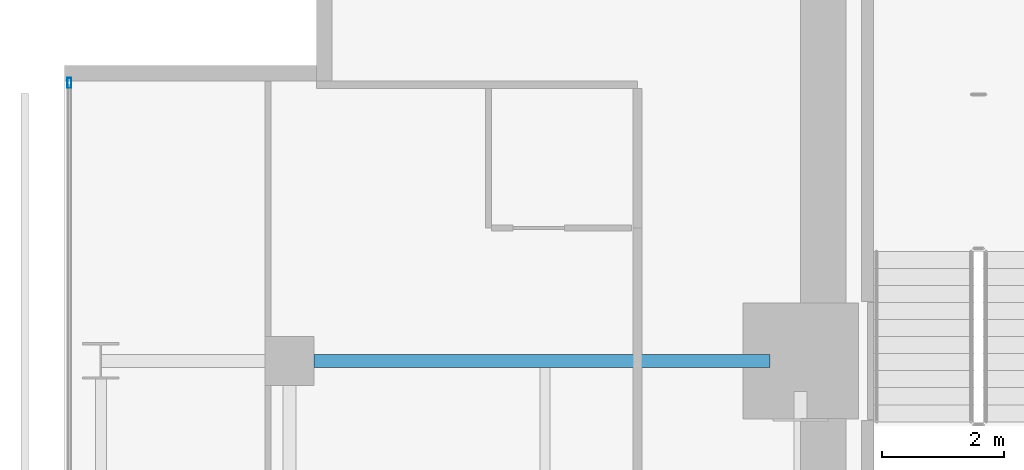
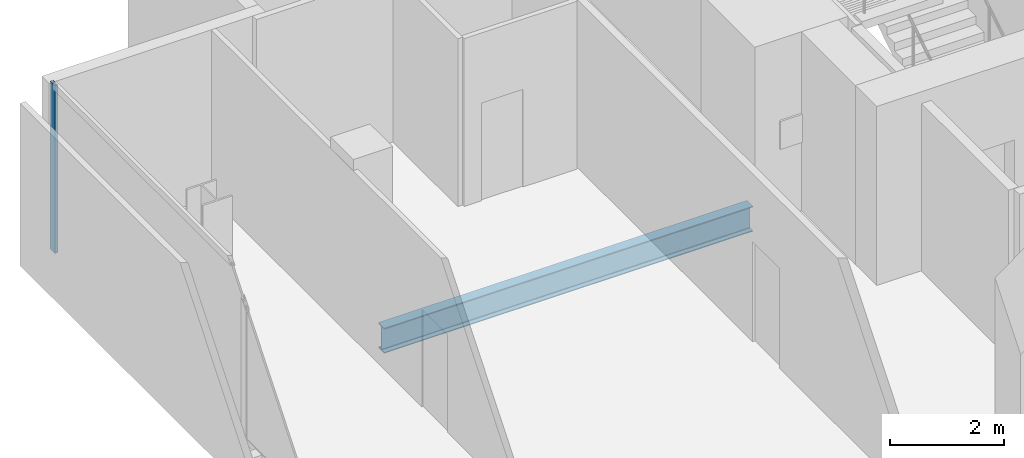
# One storey, part 20 of 33: 1 beam, 1 member, 1 element without a shape of its own.
"""IFC4 building model written with IfcOpenShell, lengths in metres."""

from ifc_helpers import new_model, si_unit, direction, frame, origin, origin_2d, place, context, subcontext, project, spatial, hollow_rectangle, i_section, extrude, material, layer, layer_set, material_profile, profile_set, type_object, element, aggregate, save


model = new_model("IFC4")

# Units and contexts
model_context = context("Model", 3, precision=1e-05, world=origin(), true_north=direction((0.0, 1.0)))
body_context = subcontext(model_context, "Body", "Model", "MODEL_VIEW")
ifc_project = project(units=[si_unit("LENGTHUNIT", "METRE"), si_unit("AREAUNIT", "SQUARE_METRE"), si_unit("VOLUMEUNIT", "CUBIC_METRE"), si_unit("PLANEANGLEUNIT", "RADIAN"), si_unit("MASSUNIT", "GRAM", prefix="KILO")], contexts=[model_context])

# Site, building, storey
site_placement = place(None, origin())
site = spatial("IfcSite", under=ifc_project, at=site_placement, CompositionType="ELEMENT")
building_placement = place(site_placement, origin())
building = spatial("IfcBuilding", under=site, at=building_placement, Name="Maruvema Waterfront Hotel and Observation Tower", CompositionType="ELEMENT")
storey_placement = place(building_placement, frame((0.0, 0.0, 204.39990234375)))
storey = spatial("IfcBuildingStorey", under=building, at=storey_placement, Name="L50", CompositionType="ELEMENT", Elevation=204.39990234375)

# Curtain wall, member
ifc_material_1 = material(Name="Anodised bronze aluminium and solar-control low-E IGU", Category="aluminium")
ifc_layer = layer(ifc_material_1, 0.159912109375, Name="Zone 2 Amber Inner Thermal Curtain Wall System CW-03")
ifc_layer_set = layer_set([ifc_layer], Name="Anodised bronze aluminium and solar-control low-E IGU")
curtain_wall_type = type_object("IfcCurtainWallType", Name="Zone 2 Amber Inner Thermal Curtain Wall System CW-03", PredefinedType="USERDEFINED", material=ifc_layer_set)
curtain_wall_placement = place(storey_placement, origin())
curtain_wall = element("IfcCurtainWall", 1, at=curtain_wall_placement, inside=storey, type_object=curtain_wall_type, Name="L50 Curtain Wall CW-L50-W", ObjectType="UNITISED CURTAIN WALL", PredefinedType="USERDEFINED")
ifc_material_2 = material(Name="Anodised architectural bronze aluminium", Category="aluminium")
ifc_material_profile_1 = material_profile(ifc_material_2, hollow_rectangle(XDim=0.06494140625, YDim=0.1650390625, WallThickness=0.00390625, at=origin_2d()), Name="ALU-M65x165")
ifc_profile_set_1 = profile_set([ifc_material_profile_1], Name="Anodised architectural bronze aluminium")
member_type = type_object("IfcMemberType", Name="Curtain Wall Primary Mullion ALU-M65x165", PredefinedType="MULLION", material=ifc_profile_set_1)
member_placement = place(storey_placement, frame((13.179931640625, 49.570068359375, 0.0), z_axis=(0.0, 0.0, 1.0), x_axis=(1.0, 0.0, 0.0)))
member = element("IfcMember", 2, at=member_placement, type_object=member_type, Name="CW-03 mullion 1", PredefinedType="MULLION", context=body_context, shape_type="SweptSolid", body=[
    extrude(hollow_rectangle(XDim=0.06494140625, YDim=0.1650390625, WallThickness=0.00390625, at=origin_2d()), origin(), (0.0, 0.0, 1.0), 3.610107421875),
])
aggregate(curtain_wall, [member])

# Beam
ifc_material_3 = material(Name="Steel ASTM A572 Grade 50", Category="steel")
ifc_material_profile_2 = material_profile(ifc_material_3, i_section(OverallWidth=0.2109375, OverallDepth=0.5390625, WebThickness=0.01171875, FlangeThickness=0.018798828125, FilletRadius=0.014892578125, at=origin_2d()), Name="W530x109.0")
ifc_profile_set_2 = profile_set([ifc_material_profile_2], Name="Steel ASTM A572 Grade 50")
beam_type = type_object("IfcBeamType", Name="Primary Floor Girder W530x109.0", PredefinedType="BEAM", material=ifc_profile_set_2)
beam_placement = place(storey_placement, frame((17.199951171875, 45.0, -0.509521484375), z_axis=(1.0, 0.0, 0.0), x_axis=(0.0, 1.0, 0.0)))
element("IfcBeam", 3, at=beam_placement, inside=storey, type_object=beam_type, Name="L50 Floor Girder EW-31", PredefinedType="BEAM", context=body_context, shape_type="SweptSolid", body=[
    extrude(i_section(OverallWidth=0.2109375, OverallDepth=0.5390625, WebThickness=0.01171875, FlangeThickness=0.018798828125, FilletRadius=0.014892578125, at=origin_2d()), origin(), (0.0, 0.0, 1.0), 7.5),
])

save(model, "model.ifc")
